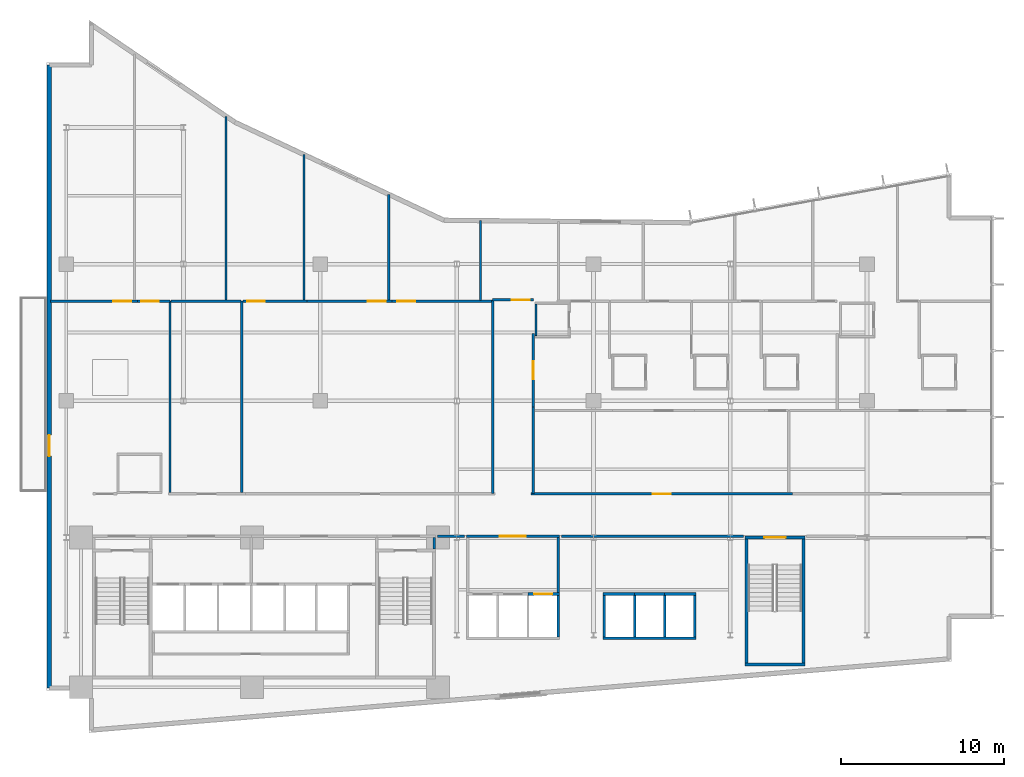
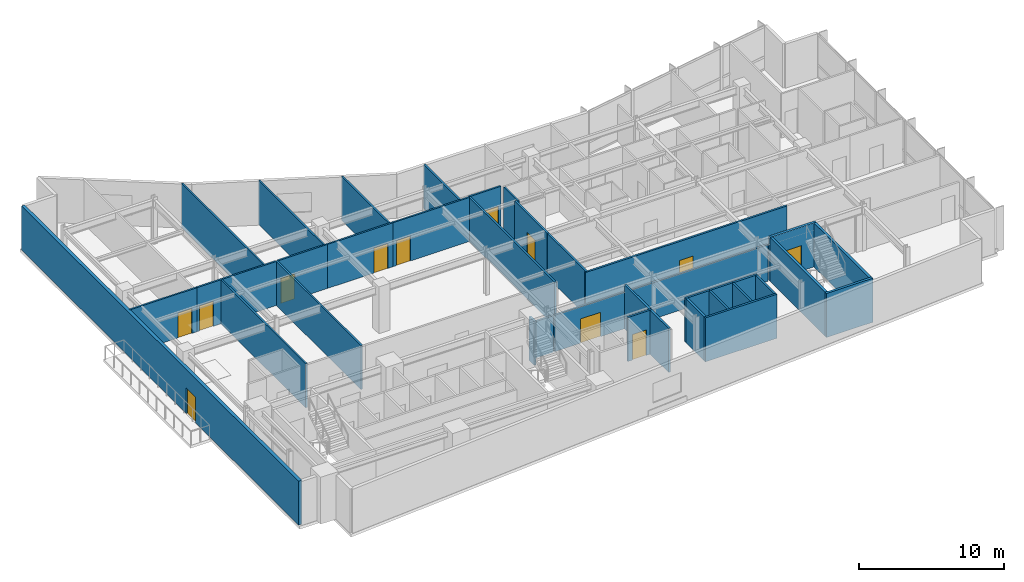
# One storey, part 13 of 22: 38 walls, 12 doors, 12 openings.
"""IFC4 building model written with IfcOpenShell, lengths in metres."""

from ifc_helpers import new_model, si_unit, direction, frame, frame_2d, origin, place, context, subcontext, project, spatial, rectangle, extrude, material, layer, layer_set, type_object, element, fill, save


model = new_model("IFC4")

# Units and contexts
model_context = context("Model", 3, precision=1e-05, world=origin(), true_north=direction((0.0, 1.0)))
body_context = subcontext(model_context, "Body", "Model", "MODEL_VIEW")
ifc_project = project(units=[si_unit("LENGTHUNIT", "METRE"), si_unit("AREAUNIT", "SQUARE_METRE"), si_unit("VOLUMEUNIT", "CUBIC_METRE"), si_unit("PLANEANGLEUNIT", "RADIAN"), si_unit("MASSUNIT", "GRAM", prefix="KILO")], contexts=[model_context])

# Site, building, storey
site_placement = place(None, origin())
site = spatial("IfcSite", under=ifc_project, at=site_placement, CompositionType="ELEMENT")
building_placement = place(site_placement, origin())
building = spatial("IfcBuilding", under=site, at=building_placement, Name="Varnakote Quay Hospital", CompositionType="ELEMENT")
storey_placement = place(building_placement, frame((0.0, 0.0, 65.949951171875)))
storey = spatial("IfcBuildingStorey", under=building, at=storey_placement, Name="L16", CompositionType="ELEMENT", Elevation=65.949951171875)

# Walls
ifc_material_1 = material(Name="Fire-rated acoustic gypsum stud wall", Category="gypsum")
ifc_layer_1 = layer(ifc_material_1, 0.159912109375)
ifc_layer_set_1 = layer_set([ifc_layer_1], Name="Fire-rated acoustic gypsum stud wall")
wall_type_1 = type_object("IfcWallType", Name="WL-COMP-160", PredefinedType="PARTITIONING", material=ifc_layer_set_1)
wall_1_placement = place(storey_placement, frame((23.820068359375, 11.300048828125, 0.0), z_axis=(0.0, 0.0, 1.0), x_axis=(0.0, 1.0, 0.0)))
element("IfcWall", 1, at=wall_1_placement, inside=storey, type_object=wall_type_1, Name="L16 East Stair Vestibule East Wall", PredefinedType="PARTITIONING", context=body_context, shape_type="SweptSolid", body=[
    extrude(rectangle(XDim=0.699951171875, YDim=0.159912109375, at=frame_2d((0.35009765625, 0.0))), origin(), (0.0, 0.0, 1.0), 3.7099609375),
])
wall_2_placement = place(storey_placement, frame((31.429931640625, 8.610107421875, 0.0), z_axis=(0.0, 0.0, 1.0), x_axis=(0.0, 1.0, 0.0)))
element("IfcWall", 2, at=wall_2_placement, inside=storey, type_object=wall_type_1, Name="L16 Low-Rise Lift Lobby East Wall", PredefinedType="PARTITIONING", context=body_context, shape_type="SweptSolid", body=[
    extrude(rectangle(XDim=3.389892578125, YDim=0.159912109375, at=frame_2d((1.69482421875, 0.0))), origin(), (0.0, 0.0, 1.0), 3.7099609375),
])

# Wall, opening, door
wall_3_placement = place(storey_placement, frame((25.7900390625, 12.080078125, 0.0), z_axis=(0.0, 0.0, 1.0), x_axis=(1.0, 0.0, 0.0)))
wall_3 = element("IfcWall", 3, at=wall_3_placement, inside=storey, type_object=wall_type_1, Name="L16 Low-Rise Lift Lobby North Wall", PredefinedType="PARTITIONING", context=body_context, shape_type="SweptSolid", body=[
    extrude(rectangle(XDim=5.719970703125, YDim=0.159912109375, at=frame_2d((2.85986328125, 0.0))), origin(), (0.0, 0.0, 1.0), 3.072998046875),
])
opening_1_placement = place(wall_3_placement, frame((2.06005859375, 0.0, 0.0)))
opening_1 = element("IfcOpeningElement", 4, at=opening_1_placement, cuts=wall_3, Name="Opening D-PLL-L16", PredefinedType="OPENING", context=body_context, shape_type="SweptSolid", body=[
    extrude(rectangle(XDim=1.60009765625, YDim=2.050048828125, at=frame_2d((0.800048828125, 1.02490234375))), frame((0.0, 0.08984375, 0.0), z_axis=(0.0, -1.0, 0.0), x_axis=(1.0, 0.0, 0.0)), (0.0, 0.0, 1.0), 0.179931640625),
])
ifc_material_2 = material(Name="Fire-rated double smoke lobby door")
door_type_1 = type_object("IfcDoorType", Name="DR-LOBBY-FD60S-1600x2150", OperationType="NOTDEFINED", PredefinedType="DOOR", material=ifc_material_2)
door_1_placement = place(opening_1_placement, origin())
door_1 = element("IfcDoor", 5, at=door_1_placement, inside=storey, type_object=door_type_1, Name="L16 Low-Rise Passenger Concourse Vestibule Door", OperationType="DOUBLE_DOOR_SINGLE_SWING", OverallHeight=2.050048828125, OverallWidth=1.60009765625, PredefinedType="DOOR", context=body_context, shape_type="SweptSolid", body=[
    extrude(rectangle(XDim=1.60009765625, YDim=2.050048828125, at=frame_2d((0.800048828125, 1.02490234375))), frame((0.0, 0.02490234375, 0.0), z_axis=(0.0, -1.0, 0.0), x_axis=(1.0, 0.0, 0.0)), (0.0, 0.0, 1.0), 0.050048828125),
])
fill(opening_1, door_1)

# Walls
wall_4_placement = place(storey_placement, frame((24.02001953125, 12.080078125, 0.0), z_axis=(0.0, 0.0, 1.0), x_axis=(1.0, 0.0, 0.0)))
element("IfcWall", 6, at=wall_4_placement, inside=storey, type_object=wall_type_1, Name="L16 Corridor South Gap Wall", PredefinedType="PARTITIONING", context=body_context, shape_type="SweptSolid", body=[
    extrude(rectangle(XDim=1.64990234375, YDim=0.159912109375, at=frame_2d((0.824951171875, 0.0))), origin(), (0.0, 0.0, 1.0), 3.072998046875),
])
wall_5_placement = place(storey_placement, frame((31.6298828125, 12.080078125, 0.0), z_axis=(0.0, 0.0, 1.0), x_axis=(1.0, 0.0, 0.0)))
element("IfcWall", 7, at=wall_5_placement, inside=storey, type_object=wall_type_1, Name="L16 Corridor South Gap Wall", PredefinedType="PARTITIONING", context=body_context, shape_type="SweptSolid", body=[
    extrude(rectangle(XDim=11.180908203125, YDim=0.159912109375, at=frame_2d((5.59033203125, 0.0))), origin(), (0.0, 0.0, 1.0), 3.072998046875),
])
ifc_material_3 = material(Name="Moisture-resistant bathroom partition", Category="gypsum")
ifc_layer_2 = layer(ifc_material_3, 0.114990234375)
ifc_layer_set_2 = layer_set([ifc_layer_2], Name="Moisture-resistant bathroom partition")
wall_type_2 = type_object("IfcWallType", Name="WL-ENS-115", PredefinedType="PARTITIONING", material=ifc_layer_set_2)
wall_6_placement = place(storey_placement, frame((30.0625, 24.39990234375, 0.0), z_axis=(0.0, 0.0, 1.0), x_axis=(0.0, 1.0, 0.0)))
element("IfcWall", 8, at=wall_6_placement, inside=storey, type_object=wall_type_2, Name="L16 Inpatient En-Suite Bathroom 01 W Wall", PredefinedType="PARTITIONING", context=body_context, shape_type="SweptSolid", body=[
    extrude(rectangle(XDim=1.9501953125, YDim=0.114990234375, at=frame_2d((0.97509765625, 0.0))), origin(), (0.0, 0.0, 1.0), 3.7099609375),
])

# Wall, opening, door
ifc_material_4 = material(Name="Precast concrete N50 (f'c 50 MPa)", Category="concrete")
ifc_layer_3 = layer(ifc_material_4, 0.260009765625)
ifc_layer_set_3 = layer_set([ifc_layer_3], Name="Precast concrete N50 (f'c 50 MPa)")
wall_type_3 = type_object("IfcWallType", Name="WL-EXT-BRICK-260", PredefinedType="STANDARD", material=ifc_layer_set_3)
wall_7_placement = place(storey_placement, frame((0.159912109375, 41.0400390625, 0.0), z_axis=(0.0, 0.0, 1.0), x_axis=(0.0, -1.0, 0.0)))
wall_7 = element("IfcWall", 9, at=wall_7_placement, inside=storey, type_object=wall_type_3, Name="L16 Healing Terrace Portal Brick Wall", PredefinedType="STANDARD", context=body_context, shape_type="SweptSolid", body=[
    extrude(rectangle(XDim=38.280029296875, YDim=0.260009765625, at=frame_2d((19.14013671875, 0.0))), origin(), (0.0, 0.0, 1.0), 3.7099609375),
])
opening_2_placement = place(wall_7_placement, frame((22.743408203125, 0.0, 0.0)))
opening_2 = element("IfcOpeningElement", 10, at=opening_2_placement, cuts=wall_7, Name="Opening DT-L16", PredefinedType="OPENING", context=body_context, shape_type="SweptSolid", body=[
    extrude(rectangle(XDim=1.300048828125, YDim=2.14990234375, at=frame_2d((0.64990234375, 1.074951171875))), frame((0.0, 0.139892578125, 0.0), z_axis=(0.0, -1.0, 0.0), x_axis=(1.0, 0.0, 0.0)), (0.0, 0.0, 1.0), 0.280029296875),
])
ifc_material_5 = material(Name="Anodised aluminium glazed terrace door", Category="aluminium")
door_type_2 = type_object("IfcDoorType", Name="DR-EXT-TERR-1300x2150", OperationType="NOTDEFINED", PredefinedType="DOOR", material=ifc_material_5)
door_2_placement = place(opening_2_placement, origin())
door_2 = element("IfcDoor", 11, at=door_2_placement, inside=storey, type_object=door_type_2, Name="L16 Waterfront Healing Terrace Door", OperationType="SINGLE_SWING_LEFT", OverallHeight=2.14990234375, OverallWidth=1.300048828125, PredefinedType="DOOR", context=body_context, shape_type="SweptSolid", body=[
    extrude(rectangle(XDim=1.300048828125, YDim=2.14990234375, at=frame_2d((0.64990234375, 1.074951171875))), frame((0.0, 0.02490234375, 0.0), z_axis=(0.0, -1.0, 0.0), x_axis=(1.0, 0.0, 0.0)), (0.0, 0.0, 1.0), 0.050048828125),
])
fill(opening_2, door_2)

# Walls
ifc_material_6 = material(Name="Concrete N50 (f'c 50 MPa)", Category="concrete")
ifc_layer_4 = layer(ifc_material_6, 0.14990234375)
ifc_layer_set_4 = layer_set([ifc_layer_4], Name="Concrete N50 (f'c 50 MPa)")
wall_type_4 = type_object("IfcWallType", Name="WL-SHAFT-N50-150", PredefinedType="SHEAR", material=ifc_layer_set_4)
for number, where, z_axis, x_axis, name in (
    (12, (36.125, 5.89990234375, 0.0), (0.0, 0.0, 1.0), (0.0, 1.0, 0.0), "L16 LF-PM1 Hoistway Divider Wall"),
    (13, (37.97509765625, 5.89990234375, 0.0), (0.0, 0.0, 1.0), (0.0, 1.0, 0.0), "L16 LF-PM2 Hoistway Divider Wall"),
):
    element("IfcWall", number, at=place(storey_placement, frame(where, z_axis=z_axis, x_axis=x_axis)), inside=storey, type_object=wall_type_4, Name=name, PredefinedType="SHEAR", context=body_context, shape_type="SweptSolid", body=[
        extrude(rectangle(XDim=2.550048828125, YDim=0.14990234375, at=frame_2d((1.27490234375, 0.0))), origin(), (0.0, 0.0, 1.0), 3.7099609375),
    ])
ifc_material_7 = material(Name="Concrete N50 (f'c 50 MPa)", Category="concrete")
ifc_layer_5 = layer(ifc_material_7, 0.159912109375)
ifc_layer_set_5 = layer_set([ifc_layer_5], Name="Concrete N50 (f'c 50 MPa)")
wall_type_5 = type_object("IfcWallType", Name="WL-SHAFT-N50-160", PredefinedType="SHEAR", material=ifc_layer_set_5)
wall_8_placement = place(storey_placement, frame((31.429931640625, 5.89990234375, 0.0), z_axis=(0.0, 0.0, 1.0), x_axis=(0.0, 1.0, 0.0)))
element("IfcWall", 14, at=wall_8_placement, inside=storey, type_object=wall_type_5, Name="L16 LOW Lift Bank East Shear Wall", PredefinedType="SHEAR", context=body_context, shape_type="SweptSolid", body=[
    extrude(rectangle(XDim=2.550048828125, YDim=0.159912109375, at=frame_2d((1.27490234375, 0.0))), origin(), (0.0, 0.0, 1.0), 3.7099609375),
])

# Wall, opening, door
wall_9_placement = place(storey_placement, frame((29.574951171875, 8.530029296875, 0.0), z_axis=(0.0, 0.0, 1.0), x_axis=(1.0, 0.0, 0.0)))
wall_9 = element("IfcWall", 15, at=wall_9_placement, inside=storey, type_object=wall_type_5, Name="L16 LF-PL3 Hoistway Front Wall", PredefinedType="SHEAR", context=body_context, shape_type="SweptSolid", body=[
    extrude(rectangle(XDim=1.93505859375, YDim=0.159912109375, at=frame_2d((0.967529296875, 0.0))), origin(), (0.0, 0.0, 1.0), 3.7099609375),
])
opening_3_placement = place(wall_9_placement, frame((0.375, 0.0, 0.0)))
opening_3 = element("IfcOpeningElement", 16, at=opening_3_placement, cuts=wall_9, Name="Opening LD-PL3-L16", PredefinedType="OPENING", context=body_context, shape_type="SweptSolid", body=[
    extrude(rectangle(XDim=1.10009765625, YDim=2.14990234375, at=frame_2d((0.550048828125, 1.074951171875))), frame((0.0, 0.08984375, 0.0), z_axis=(0.0, -1.0, 0.0), x_axis=(1.0, 0.0, 0.0)), (0.0, 0.0, 1.0), 0.179931640625),
])
ifc_material_8 = material(Name="Brushed bronze lift landing sliding door")
door_type_3 = type_object("IfcDoorType", Name="DR-LIFT-LD-1100x2150", OperationType="NOTDEFINED", PredefinedType="DOOR", material=ifc_material_8)
door_3_placement = place(opening_3_placement, origin())
door_3 = element("IfcDoor", 17, at=door_3_placement, inside=storey, type_object=door_type_3, Name="L16 LF-PL3 Lift Landing Sliding Door", OperationType="SLIDING_TO_LEFT", OverallHeight=2.14990234375, OverallWidth=1.10009765625, PredefinedType="DOOR", context=body_context, shape_type="SweptSolid", body=[
    extrude(rectangle(XDim=1.10009765625, YDim=2.14990234375, at=frame_2d((0.550048828125, 1.074951171875))), frame((0.0, 0.02490234375, 0.0), z_axis=(0.0, -1.0, 0.0), x_axis=(1.0, 0.0, 0.0)), (0.0, 0.0, 1.0), 0.050048828125),
])
fill(opening_3, door_3)

# Walls
wall_10_placement = place(storey_placement, frame((34.18994140625, 5.820068359375, 0.0), z_axis=(0.0, 0.0, 1.0), x_axis=(1.0, 0.0, 0.0)))
element("IfcWall", 18, at=wall_10_placement, inside=storey, type_object=wall_type_5, Name="L16 MID Lift Bank Back Shear Wall", PredefinedType="SHEAR", context=body_context, shape_type="SweptSolid", body=[
    extrude(rectangle(XDim=5.719970703125, YDim=0.159912109375, at=frame_2d((2.85986328125, 0.0))), origin(), (0.0, 0.0, 1.0), 3.7099609375),
])
for number, where, z_axis, x_axis, name in (
    (19, (34.27001953125, 5.89990234375, 0.0), (0.0, 0.0, 1.0), (0.0, 1.0, 0.0), "L16 MID Lift Bank West Shear Wall"),
    (20, (39.830078125, 5.89990234375, 0.0), (0.0, 0.0, 1.0), (0.0, 1.0, 0.0), "L16 MID Lift Bank East Shear Wall"),
):
    element("IfcWall", number, at=place(storey_placement, frame(where, z_axis=z_axis, x_axis=x_axis)), inside=storey, type_object=wall_type_5, Name=name, PredefinedType="SHEAR", context=body_context, shape_type="SweptSolid", body=[
        extrude(rectangle(XDim=2.550048828125, YDim=0.159912109375, at=frame_2d((1.27490234375, 0.0))), origin(), (0.0, 0.0, 1.0), 3.7099609375),
    ])
wall_11_placement = place(storey_placement, frame((34.18994140625, 8.530029296875, 0.0), z_axis=(0.0, 0.0, 1.0), x_axis=(1.0, 0.0, 0.0)))
element("IfcWall", 21, at=wall_11_placement, inside=storey, type_object=wall_type_5, Name="L16 LF-PM1 Hoistway Front Wall", PredefinedType="SHEAR", context=body_context, shape_type="SweptSolid", body=[
    extrude(rectangle(XDim=1.93505859375, YDim=0.159912109375, at=frame_2d((0.967529296875, 0.0))), origin(), (0.0, 0.0, 1.0), 3.7099609375),
])
wall_12_placement = place(storey_placement, frame((36.125, 8.530029296875, 0.0), z_axis=(0.0, 0.0, 1.0), x_axis=(1.0, 0.0, 0.0)))
element("IfcWall", 22, at=wall_12_placement, inside=storey, type_object=wall_type_5, Name="L16 LF-PM2 Hoistway Front Wall", PredefinedType="SHEAR", context=body_context, shape_type="SweptSolid", body=[
    extrude(rectangle(XDim=1.85009765625, YDim=0.159912109375, at=frame_2d((0.925048828125, 0.0))), origin(), (0.0, 0.0, 1.0), 3.7099609375),
])
wall_13_placement = place(storey_placement, frame((37.97509765625, 8.530029296875, 0.0), z_axis=(0.0, 0.0, 1.0), x_axis=(1.0, 0.0, 0.0)))
element("IfcWall", 23, at=wall_13_placement, inside=storey, type_object=wall_type_5, Name="L16 LF-PM3 Hoistway Front Wall", PredefinedType="SHEAR", context=body_context, shape_type="SweptSolid", body=[
    extrude(rectangle(XDim=1.934814453125, YDim=0.159912109375, at=frame_2d((0.96728515625, 0.0))), origin(), (0.0, 0.0, 1.0), 3.7099609375),
])
ifc_material_9 = material(Name="Concrete N50 (f'c 50 MPa)", Category="concrete")
ifc_layer_6 = layer(ifc_material_9, 0.199951171875)
ifc_layer_set_6 = layer_set([ifc_layer_6], Name="Concrete N50 (f'c 50 MPa)")
wall_type_6 = type_object("IfcWallType", Name="WL-SHAFT-N50-200", PredefinedType="SHEAR", material=ifc_layer_set_6)
wall_14_placement = place(storey_placement, frame((42.89990234375, 4.199951171875, 0.0), z_axis=(0.0, 0.0, 1.0), x_axis=(1.0, 0.0, 0.0)))
element("IfcWall", 24, at=wall_14_placement, inside=storey, type_object=wall_type_6, Name="L16 Stair ST3 South Shaft Wall", PredefinedType="SHEAR", context=body_context, shape_type="SweptSolid", body=[
    extrude(rectangle(XDim=3.7001953125, YDim=0.199951171875, at=frame_2d((1.85009765625, 0.0))), origin(), (0.0, 0.0, 1.0), 3.7099609375),
])
for number, where, z_axis, x_axis, name in (
    (25, (43.0, 4.300048828125, 0.0), (0.0, 0.0, 1.0), (0.0, 1.0, 0.0), "L16 Stair ST3 West Shaft Wall"),
    (26, (46.5, 4.300048828125, 0.0), (0.0, 0.0, 1.0), (0.0, 1.0, 0.0), "L16 Stair ST3 East Shaft Wall"),
):
    element("IfcWall", number, at=place(storey_placement, frame(where, z_axis=z_axis, x_axis=x_axis)), inside=storey, type_object=wall_type_6, Name=name, PredefinedType="SHEAR", context=body_context, shape_type="SweptSolid", body=[
        extrude(rectangle(XDim=7.599853515625, YDim=0.199951171875, at=frame_2d((3.7998046875, 0.0))), origin(), (0.0, 0.0, 1.0), 3.7099609375),
    ])

# Wall, opening, door
wall_15_placement = place(storey_placement, frame((42.89990234375, 12.0, 0.0), z_axis=(0.0, 0.0, 1.0), x_axis=(1.0, 0.0, 0.0)))
wall_15 = element("IfcWall", 27, at=wall_15_placement, inside=storey, type_object=wall_type_6, Name="L16 Stair ST3 Exit Wall", PredefinedType="SHEAR", context=body_context, shape_type="SweptSolid", body=[
    extrude(rectangle(XDim=3.7001953125, YDim=0.199951171875, at=frame_2d((1.85009765625, 0.0))), origin(), (0.0, 0.0, 1.0), 3.7099609375),
])
opening_4_placement = place(wall_15_placement, frame((1.199951171875, 0.0, 0.0)))
opening_4 = element("IfcOpeningElement", 28, at=opening_4_placement, cuts=wall_15, Name="Opening D-ST3-L16", PredefinedType="OPENING", context=body_context, shape_type="SweptSolid", body=[
    extrude(rectangle(XDim=1.300048828125, YDim=2.14990234375, at=frame_2d((0.64990234375, 1.074951171875))), frame((0.0, 0.10986328125, 0.0), z_axis=(0.0, -1.0, 0.0), x_axis=(1.0, 0.0, 0.0)), (0.0, 0.0, 1.0), 0.219970703125),
])
ifc_material_10 = material(Name="Fire-rated ceramic-glazed timber exit door", Category="wood")
door_type_4 = type_object("IfcDoorType", Name="DR-STAIR-FD60S-1300x2150", OperationType="NOTDEFINED", PredefinedType="DOOR", material=ifc_material_10)
door_4_placement = place(opening_4_placement, origin())
door_4 = element("IfcDoor", 29, at=door_4_placement, inside=storey, type_object=door_type_4, Name="L16 Stair ST3 Fire Exit Door", OperationType="SINGLE_SWING_RIGHT", OverallHeight=2.14990234375, OverallWidth=1.300048828125, PredefinedType="DOOR", context=body_context, shape_type="SweptSolid", body=[
    extrude(rectangle(XDim=1.300048828125, YDim=2.14990234375, at=frame_2d((0.64990234375, 1.074951171875))), frame((0.0, 0.02490234375, 0.0), z_axis=(0.0, -1.0, 0.0), x_axis=(1.0, 0.0, 0.0)), (0.0, 0.0, 1.0), 0.050048828125),
])
fill(opening_4, door_4)

# Wall
ifc_material_11 = material(Name="Smoke-proof clinical partition", Category="gypsum")
ifc_layer_7 = layer(ifc_material_11, 0.135009765625)
ifc_layer_set_7 = layer_set([ifc_layer_7], Name="Smoke-proof clinical partition")
wall_type_7 = type_object("IfcWallType", Name="WL-SMOKE-135", PredefinedType="PARTITIONING", material=ifc_layer_set_7)
wall_16_placement = place(storey_placement, frame((7.580078125, 14.760009765625, 0.0), z_axis=(0.0, 0.0, 1.0), x_axis=(0.0, 1.0, 0.0)))
element("IfcWall", 30, at=wall_16_placement, inside=storey, type_object=wall_type_7, Name="L16 Clinical Interior Partition", PredefinedType="PARTITIONING", context=body_context, shape_type="SweptSolid", body=[
    extrude(rectangle(XDim=11.760009765625, YDim=0.135009765625, at=frame_2d((5.8798828125, 0.0))), origin(), (0.0, 0.0, 1.0), 3.7099609375),
])

# Wall, opening, door
wall_17_placement = place(storey_placement, frame((5.584716796875, 26.52001953125, 0.0), z_axis=(0.0, 0.0, 1.0), x_axis=(-1.0, 0.0, 0.0)))
wall_17 = element("IfcWall", 31, at=wall_17_placement, inside=storey, type_object=wall_type_7, Name="L16 Clinical Interior Partition", PredefinedType="PARTITIONING", context=body_context, shape_type="SweptSolid", body=[
    extrude(rectangle(XDim=5.3447265625, YDim=0.135009765625, at=frame_2d((2.67236328125, 0.0))), origin(), (0.0, 0.0, 1.0), 3.7099609375),
])
opening_5_placement = place(wall_17_placement, frame((0.39208984375, 0.0, 0.0)))
opening_5 = element("IfcOpeningElement", 32, at=opening_5_placement, cuts=wall_17, Name="Opening D-L16-MD04", PredefinedType="OPENING", context=body_context, shape_type="SweptSolid", body=[
    extrude(rectangle(XDim=1.10009765625, YDim=2.10009765625, at=frame_2d((0.550048828125, 1.050048828125))), frame((0.0, 0.077392578125, 0.0), z_axis=(0.0, -1.0, 0.0), x_axis=(1.0, 0.0, 0.0)), (0.0, 0.0, 1.0), 0.155029296875),
])
ifc_material_12 = material(Name="Acoustic timber clinical consult door", Category="wood")
door_type_5 = type_object("IfcDoorType", Name="DR-CLIN-FD30S-1100x2100", OperationType="NOTDEFINED", PredefinedType="DOOR", material=ifc_material_12)
door_5_placement = place(opening_5_placement, origin())
door_5 = element("IfcDoor", 33, at=door_5_placement, inside=storey, type_object=door_type_5, Name="L16 Family Consultation Meeting Room Door", OperationType="SINGLE_SWING_RIGHT", OverallHeight=2.10009765625, OverallWidth=1.10009765625, PredefinedType="DOOR", context=body_context, shape_type="SweptSolid", body=[
    extrude(rectangle(XDim=1.10009765625, YDim=2.10009765625, at=frame_2d((0.550048828125, 1.050048828125))), frame((0.0, 0.02490234375, 0.0), z_axis=(0.0, -1.0, 0.0), x_axis=(1.0, 0.0, 0.0)), (0.0, 0.0, 1.0), 0.050048828125),
])
fill(opening_5, door_5)

wall_18_placement = place(storey_placement, frame((7.580078125, 26.52001953125, 0.0), z_axis=(0.0, 0.0, 1.0), x_axis=(-1.0, 0.0, 0.0)))
wall_18 = element("IfcWall", 34, at=wall_18_placement, inside=storey, type_object=wall_type_7, Name="L16 Clinical Interior Partition", PredefinedType="PARTITIONING", context=body_context, shape_type="SweptSolid", body=[
    extrude(rectangle(XDim=1.993408203125, YDim=0.135009765625, at=frame_2d((0.99658203125, 0.0))), origin(), (0.0, 0.0, 1.0), 3.7099609375),
])
opening_6_placement = place(wall_18_placement, frame((0.68115234375, 0.0, 0.0)))
opening_6 = element("IfcOpeningElement", 35, at=opening_6_placement, cuts=wall_18, Name="Opening D-L16-MD05", PredefinedType="OPENING", context=body_context, shape_type="SweptSolid", body=[
    extrude(rectangle(XDim=1.10009765625, YDim=2.10009765625, at=frame_2d((0.550048828125, 1.050048828125))), frame((0.0, 0.077392578125, 0.0), z_axis=(0.0, -1.0, 0.0), x_axis=(1.0, 0.0, 0.0)), (0.0, 0.0, 1.0), 0.155029296875),
])
door_6_placement = place(opening_6_placement, origin())
door_6 = element("IfcDoor", 36, at=door_6_placement, inside=storey, type_object=door_type_5, Name="L16 Ward Clinical Consultation Office Door", OperationType="SINGLE_SWING_LEFT", OverallHeight=2.10009765625, OverallWidth=1.10009765625, PredefinedType="DOOR", context=body_context, shape_type="SweptSolid", body=[
    extrude(rectangle(XDim=1.10009765625, YDim=2.10009765625, at=frame_2d((0.550048828125, 1.050048828125))), frame((0.0, 0.02490234375, 0.0), z_axis=(0.0, -1.0, 0.0), x_axis=(1.0, 0.0, 0.0)), (0.0, 0.0, 1.0), 0.050048828125),
])
fill(opening_6, door_6)

# Walls
wall_19_placement = place(storey_placement, frame((11.989990234375, 14.760009765625, 0.0), z_axis=(0.0, 0.0, 1.0), x_axis=(0.0, 1.0, 0.0)))
element("IfcWall", 37, at=wall_19_placement, inside=storey, type_object=wall_type_7, Name="L16 Clinical Interior Partition", PredefinedType="PARTITIONING", context=body_context, shape_type="SweptSolid", body=[
    extrude(rectangle(XDim=11.760009765625, YDim=0.135009765625, at=frame_2d((5.8798828125, 0.0))), origin(), (0.0, 0.0, 1.0), 3.7099609375),
])
wall_20_placement = place(storey_placement, frame((11.9326171875, 26.52001953125, 0.0), z_axis=(0.0, 0.0, 1.0), x_axis=(-1.0, 0.0, 0.0)))
element("IfcWall", 38, at=wall_20_placement, inside=storey, type_object=wall_type_7, Name="L16 Clinical Interior Partition", PredefinedType="PARTITIONING", context=body_context, shape_type="SweptSolid", body=[
    extrude(rectangle(XDim=4.295166015625, YDim=0.135009765625, at=frame_2d((2.1474609375, 0.0))), origin(), (0.0, 0.0, 1.0), 3.7099609375),
])

# Wall, opening, door
wall_21_placement = place(storey_placement, frame((16.004638671875, 26.52001953125, 0.0), z_axis=(0.0, 0.0, 1.0), x_axis=(-1.0, 0.0, 0.0)))
wall_21 = element("IfcWall", 39, at=wall_21_placement, inside=storey, type_object=wall_type_7, Name="L16 Clinical Interior Partition", PredefinedType="PARTITIONING", context=body_context, shape_type="SweptSolid", body=[
    extrude(rectangle(XDim=3.95703125, YDim=0.135009765625, at=frame_2d((1.978515625, 0.0))), origin(), (0.0, 0.0, 1.0), 3.7099609375),
])
opening_7_placement = place(wall_21_placement, frame((2.595703125, 0.0, 0.0)))
opening_7 = element("IfcOpeningElement", 40, at=opening_7_placement, cuts=wall_21, Name="Opening D-L16-MD06", PredefinedType="OPENING", context=body_context, shape_type="SweptSolid", body=[
    extrude(rectangle(XDim=1.10009765625, YDim=2.10009765625, at=frame_2d((0.550048828125, 1.050048828125))), frame((0.0, 0.077392578125, 0.0), z_axis=(0.0, -1.0, 0.0), x_axis=(1.0, 0.0, 0.0)), (0.0, 0.0, 1.0), 0.155029296875),
])
door_7_placement = place(opening_7_placement, origin())
door_7 = element("IfcDoor", 41, at=door_7_placement, inside=storey, type_object=door_type_5, Name="L16 Staff Clinical Handover Office Door", OperationType="SINGLE_SWING_RIGHT", OverallHeight=2.10009765625, OverallWidth=1.10009765625, PredefinedType="DOOR", context=body_context, shape_type="SweptSolid", body=[
    extrude(rectangle(XDim=1.10009765625, YDim=2.10009765625, at=frame_2d((0.550048828125, 1.050048828125))), frame((0.0, 0.02490234375, 0.0), z_axis=(0.0, -1.0, 0.0), x_axis=(1.0, 0.0, 0.0)), (0.0, 0.0, 1.0), 0.050048828125),
])
fill(opening_7, door_7)

wall_22_placement = place(storey_placement, frame((21.214599609375, 26.52001953125, 0.0), z_axis=(0.0, 0.0, 1.0), x_axis=(-1.0, 0.0, 0.0)))
wall_22 = element("IfcWall", 42, at=wall_22_placement, inside=storey, type_object=wall_type_7, Name="L16 Clinical Interior Partition", PredefinedType="PARTITIONING", context=body_context, shape_type="SweptSolid", body=[
    extrude(rectangle(XDim=5.2080078125, YDim=0.135009765625, at=frame_2d((2.60400390625, 0.0))), origin(), (0.0, 0.0, 1.0), 3.7099609375),
])
opening_8_placement = place(wall_22_placement, frame((0.385498046875, 0.0, 0.0)))
opening_8 = element("IfcOpeningElement", 43, at=opening_8_placement, cuts=wall_22, Name="Opening D-L16-MD07", PredefinedType="OPENING", context=body_context, shape_type="SweptSolid", body=[
    extrude(rectangle(XDim=1.10009765625, YDim=2.10009765625, at=frame_2d((0.550048828125, 1.050048828125))), frame((0.0, 0.077392578125, 0.0), z_axis=(0.0, -1.0, 0.0), x_axis=(1.0, 0.0, 0.0)), (0.0, 0.0, 1.0), 0.155029296875),
])
door_8_placement = place(opening_8_placement, origin())
door_8 = element("IfcDoor", 44, at=door_8_placement, inside=storey, type_object=door_type_5, Name="L16 Step-Down Observation Treatment Suite Door", OperationType="SINGLE_SWING_LEFT", OverallHeight=2.10009765625, OverallWidth=1.10009765625, PredefinedType="DOOR", context=body_context, shape_type="SweptSolid", body=[
    extrude(rectangle(XDim=1.10009765625, YDim=2.10009765625, at=frame_2d((0.550048828125, 1.050048828125))), frame((0.0, 0.02490234375, 0.0), z_axis=(0.0, -1.0, 0.0), x_axis=(1.0, 0.0, 0.0)), (0.0, 0.0, 1.0), 0.050048828125),
])
fill(opening_8, door_8)

wall_23_placement = place(storey_placement, frame((27.3349609375, 26.52001953125, 0.0), z_axis=(0.0, 0.0, 1.0), x_axis=(-1.0, 0.0, 0.0)))
wall_23 = element("IfcWall", 45, at=wall_23_placement, inside=storey, type_object=wall_type_7, Name="L16 Clinical Interior Partition", PredefinedType="PARTITIONING", context=body_context, shape_type="SweptSolid", body=[
    extrude(rectangle(XDim=6.118408203125, YDim=0.135009765625, at=frame_2d((3.05908203125, 0.0))), origin(), (0.0, 0.0, 1.0), 3.7099609375),
])
opening_9_placement = place(wall_23_placement, frame((4.702880859375, 0.0, 0.0)))
opening_9 = element("IfcOpeningElement", 46, at=opening_9_placement, cuts=wall_23, Name="Opening D-L16-MD08", PredefinedType="OPENING", context=body_context, shape_type="SweptSolid", body=[
    extrude(rectangle(XDim=1.10009765625, YDim=2.10009765625, at=frame_2d((0.550048828125, 1.050048828125))), frame((0.0, 0.077392578125, 0.0), z_axis=(0.0, -1.0, 0.0), x_axis=(1.0, 0.0, 0.0)), (0.0, 0.0, 1.0), 0.155029296875),
])
door_9_placement = place(opening_9_placement, origin())
door_9 = element("IfcDoor", 47, at=door_9_placement, inside=storey, type_object=door_type_5, Name="L16 Family Consultation Meeting Room Door", OperationType="SINGLE_SWING_RIGHT", OverallHeight=2.10009765625, OverallWidth=1.10009765625, PredefinedType="DOOR", context=body_context, shape_type="SweptSolid", body=[
    extrude(rectangle(XDim=1.10009765625, YDim=2.10009765625, at=frame_2d((0.550048828125, 1.050048828125))), frame((0.0, 0.02490234375, 0.0), z_axis=(0.0, -1.0, 0.0), x_axis=(1.0, 0.0, 0.0)), (0.0, 0.0, 1.0), 0.050048828125),
])
fill(opening_9, door_9)

# Walls
wall_24_placement = place(storey_placement, frame((11.02001953125, 26.577392578125, 0.0), z_axis=(0.0, 0.0, 1.0), x_axis=(0.0, 1.0, 0.0)))
element("IfcWall", 48, at=wall_24_placement, inside=storey, type_object=wall_type_7, Name="L16 Clinical Interior Partition", PredefinedType="PARTITIONING", context=body_context, shape_type="SweptSolid", body=[
    extrude(rectangle(XDim=11.306396484375, YDim=0.135009765625, at=frame_2d((5.6533203125, 0.0))), origin(), (0.0, 0.0, 1.0), 3.7099609375),
])
wall_25_placement = place(storey_placement, frame((15.81005859375, 26.577392578125, 0.0), z_axis=(0.0, 0.0, 1.0), x_axis=(0.0, 1.0, 0.0)))
element("IfcWall", 49, at=wall_25_placement, inside=storey, type_object=wall_type_7, Name="L16 Clinical Interior Partition", PredefinedType="PARTITIONING", context=body_context, shape_type="SweptSolid", body=[
    extrude(rectangle(XDim=8.946533203125, YDim=0.135009765625, at=frame_2d((4.47314453125, 0.0))), origin(), (0.0, 0.0, 1.0), 3.7099609375),
])
wall_26_placement = place(storey_placement, frame((21.02001953125, 26.577392578125, 0.0), z_axis=(0.0, 0.0, 1.0), x_axis=(0.0, 1.0, 0.0)))
element("IfcWall", 50, at=wall_26_placement, inside=storey, type_object=wall_type_7, Name="L16 Clinical Interior Partition", PredefinedType="PARTITIONING", context=body_context, shape_type="SweptSolid", body=[
    extrude(rectangle(XDim=6.50341796875, YDim=0.135009765625, at=frame_2d((3.251708984375, 0.0))), origin(), (0.0, 0.0, 1.0), 3.7099609375),
])
wall_27_placement = place(storey_placement, frame((26.64990234375, 26.577392578125, 0.0), z_axis=(0.0, 0.0, 1.0), x_axis=(0.0, 1.0, 0.0)))
element("IfcWall", 51, at=wall_27_placement, inside=storey, type_object=wall_type_7, Name="L16 Clinical Interior Partition", PredefinedType="PARTITIONING", context=body_context, shape_type="SweptSolid", body=[
    extrude(rectangle(XDim=4.89306640625, YDim=0.135009765625, at=frame_2d((2.446533203125, 0.0))), origin(), (0.0, 0.0, 1.0), 3.7099609375),
])

# Wall, opening, door
ifc_material_13 = material(Name="Fire-rated clinical gypsum partition", Category="gypsum")
ifc_layer_8 = layer(ifc_material_13, 0.14990234375)
ifc_layer_set_8 = layer_set([ifc_layer_8], Name="Fire-rated clinical gypsum partition")
wall_type_8 = type_object("IfcWallType", Name="WL-WARD-150", PredefinedType="PARTITIONING", material=ifc_layer_set_8)
wall_28_placement = place(storey_placement, frame((45.81591796875, 14.679931640625, 0.0), z_axis=(0.0, 0.0, 1.0), x_axis=(-1.0, 0.0, 0.0)))
wall_28 = element("IfcWall", 52, at=wall_28_placement, inside=storey, type_object=wall_type_8, Name="L16 Clinical Interior Partition", PredefinedType="PARTITIONING", context=body_context, shape_type="SweptSolid", body=[
    extrude(rectangle(XDim=16.06201171875, YDim=0.14990234375, at=frame_2d((8.031005859375, 0.0))), origin(), (0.0, 0.0, 1.0), 3.7099609375),
])
opening_10_placement = place(wall_28_placement, frame((7.48095703125, 0.0, 0.0)))
opening_10 = element("IfcOpeningElement", 53, at=opening_10_placement, cuts=wall_28, Name="Opening D-L16-MD02", PredefinedType="OPENING", context=body_context, shape_type="SweptSolid", body=[
    extrude(rectangle(XDim=1.10009765625, YDim=2.10009765625, at=frame_2d((0.550048828125, 1.050048828125))), frame((0.0, 0.0849609375, 0.0), z_axis=(0.0, -1.0, 0.0), x_axis=(1.0, 0.0, 0.0)), (0.0, 0.0, 1.0), 0.169921875),
])
door_10_placement = place(opening_10_placement, origin())
door_10 = element("IfcDoor", 54, at=door_10_placement, inside=storey, type_object=door_type_5, Name="L16 Staff Clinical Handover Office Door", OperationType="SINGLE_SWING_RIGHT", OverallHeight=2.10009765625, OverallWidth=1.10009765625, PredefinedType="DOOR", context=body_context, shape_type="SweptSolid", body=[
    extrude(rectangle(XDim=1.10009765625, YDim=2.10009765625, at=frame_2d((0.550048828125, 1.050048828125))), frame((0.0, 0.02490234375, 0.0), z_axis=(0.0, -1.0, 0.0), x_axis=(1.0, 0.0, 0.0)), (0.0, 0.0, 1.0), 0.050048828125),
])
fill(opening_10, door_10)

# Walls
wall_29_placement = place(storey_placement, frame((27.39990234375, 26.60009765625, 0.0), z_axis=(0.0, 0.0, 1.0), x_axis=(0.0, -1.0, 0.0)))
element("IfcWall", 55, at=wall_29_placement, inside=storey, type_object=wall_type_8, Name="L16 Clinical Interior Partition", PredefinedType="PARTITIONING", context=body_context, shape_type="SweptSolid", body=[
    extrude(rectangle(XDim=11.900146484375, YDim=0.14990234375, at=frame_2d((5.9501953125, 0.0))), origin(), (0.0, 0.0, 1.0), 3.7099609375),
])
wall_30_placement = place(storey_placement, frame((29.89990234375, 14.699951171875, 0.0), z_axis=(0.0, 0.0, 1.0), x_axis=(0.0, 1.0, 0.0)))
element("IfcWall", 56, at=wall_30_placement, inside=storey, type_object=wall_type_8, Name="L16 Clinical Interior Partition", PredefinedType="PARTITIONING", context=body_context, shape_type="SweptSolid", body=[
    extrude(rectangle(XDim=5.325927734375, YDim=0.14990234375, at=frame_2d((2.6630859375, 0.0))), origin(), (0.0, 0.0, 1.0), 3.7099609375),
])

# Wall, opening, door
wall_31_placement = place(storey_placement, frame((29.89990234375, 20.028076171875, 0.0), z_axis=(0.0, 0.0, 1.0), x_axis=(0.0, 1.0, 0.0)))
wall_31 = element("IfcWall", 57, at=wall_31_placement, inside=storey, type_object=wall_type_8, Name="L16 Clinical Interior Partition", PredefinedType="PARTITIONING", context=body_context, shape_type="SweptSolid", body=[
    extrude(rectangle(XDim=4.517822265625, YDim=0.14990234375, at=frame_2d((2.2587890625, 0.0))), origin(), (0.0, 0.0, 1.0), 3.7099609375),
])
opening_11_placement = place(wall_31_placement, frame((1.708984375, 0.0, 0.0)))
opening_11 = element("IfcOpeningElement", 58, at=opening_11_placement, cuts=wall_31, Name="Opening D-L16-BR01", PredefinedType="OPENING", context=body_context, shape_type="SweptSolid", body=[
    extrude(rectangle(XDim=1.10009765625, YDim=2.10009765625, at=frame_2d((0.550048828125, 1.050048828125))), frame((0.0, 0.0849609375, 0.0), z_axis=(0.0, -1.0, 0.0), x_axis=(1.0, 0.0, 0.0)), (0.0, 0.0, 1.0), 0.169921875),
])
door_11_placement = place(opening_11_placement, origin())
door_11 = element("IfcDoor", 59, at=door_11_placement, inside=storey, type_object=door_type_5, Name="L16 Inpatient Clinical Treatment Room 01 Door", OperationType="SINGLE_SWING_RIGHT", OverallHeight=2.10009765625, OverallWidth=1.10009765625, PredefinedType="DOOR", context=body_context, shape_type="SweptSolid", body=[
    extrude(rectangle(XDim=1.10009765625, YDim=2.10009765625, at=frame_2d((0.550048828125, 1.050048828125))), frame((0.0, 0.02490234375, 0.0), z_axis=(0.0, -1.0, 0.0), x_axis=(1.0, 0.0, 0.0)), (0.0, 0.0, 1.0), 0.050048828125),
])
fill(opening_11, door_11)

wall_32_placement = place(storey_placement, frame((29.89990234375, 26.60009765625, 0.0), z_axis=(0.0, 0.0, 1.0), x_axis=(-1.0, 0.0, 0.0)))
wall_32 = element("IfcWall", 60, at=wall_32_placement, inside=storey, type_object=wall_type_8, Name="L16 Clinical Interior Partition", PredefinedType="PARTITIONING", context=body_context, shape_type="SweptSolid", body=[
    extrude(rectangle(XDim=2.5, YDim=0.14990234375, at=frame_2d((1.25, 0.0))), origin(), (0.0, 0.0, 1.0), 3.7099609375),
])
opening_12_placement = place(wall_32_placement, frame((0.22509765625, 0.0, 0.0)))
opening_12 = element("IfcOpeningElement", 61, at=opening_12_placement, cuts=wall_32, Name="Opening D-L16-MD09", PredefinedType="OPENING", context=body_context, shape_type="SweptSolid", body=[
    extrude(rectangle(XDim=1.10009765625, YDim=2.10009765625, at=frame_2d((0.550048828125, 1.050048828125))), frame((0.0, 0.0849609375, 0.0), z_axis=(0.0, -1.0, 0.0), x_axis=(1.0, 0.0, 0.0)), (0.0, 0.0, 1.0), 0.169921875),
])
door_12_placement = place(opening_12_placement, origin())
door_12 = element("IfcDoor", 62, at=door_12_placement, inside=storey, type_object=door_type_5, Name="L16 Ward Clinical Consultation Office Door", OperationType="SINGLE_SWING_LEFT", OverallHeight=2.10009765625, OverallWidth=1.10009765625, PredefinedType="DOOR", context=body_context, shape_type="SweptSolid", body=[
    extrude(rectangle(XDim=1.10009765625, YDim=2.10009765625, at=frame_2d((0.550048828125, 1.050048828125))), frame((0.0, 0.02490234375, 0.0), z_axis=(0.0, -1.0, 0.0), x_axis=(1.0, 0.0, 0.0)), (0.0, 0.0, 1.0), 0.050048828125),
])
fill(opening_12, door_12)

save(model, "model.ifc")
